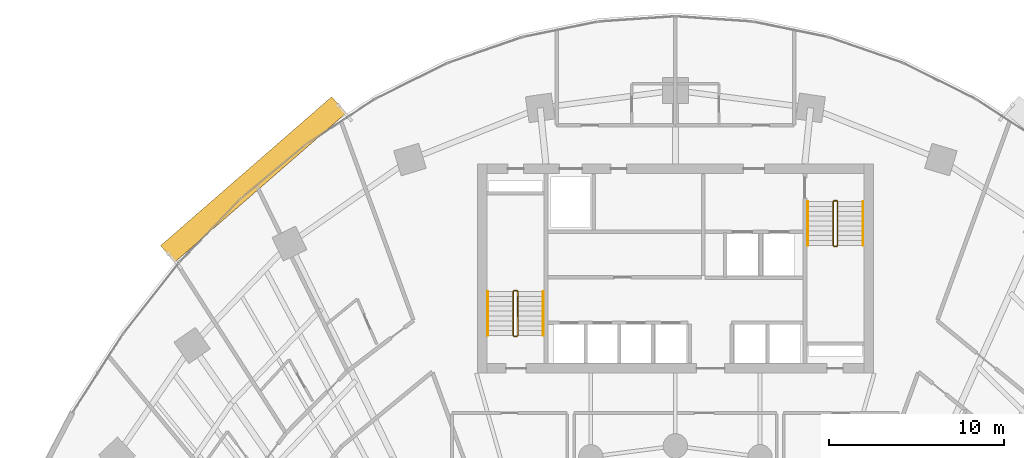
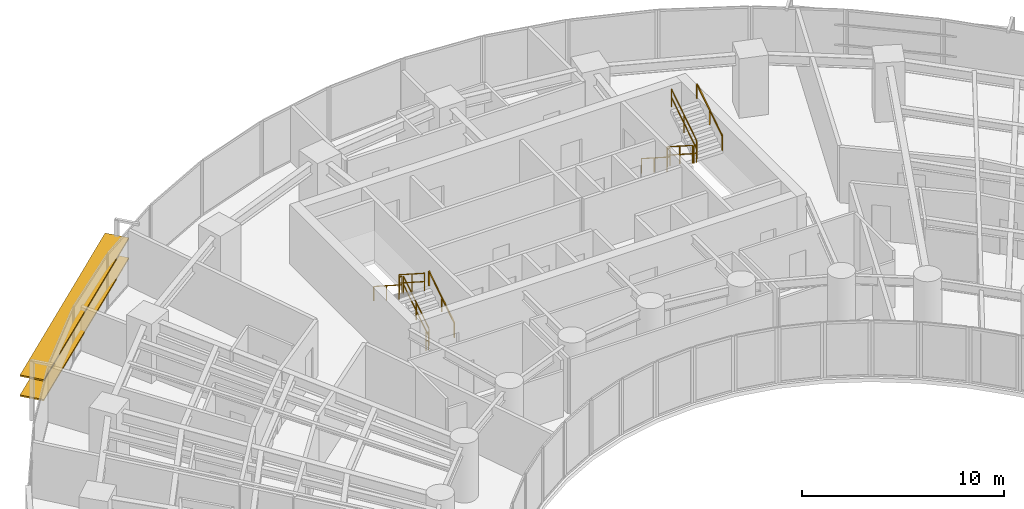
# One storey, part 16 of 17: 12 railings, 2 shading devices.
"""IFC4 building model written with IfcOpenShell, lengths in metres."""

from ifc_helpers import new_model, si_unit, direction, frame, origin, origin_2d, place, context, subcontext, project, spatial, rectangle, extrude, source, transform, mapped, material, material_profile, profile_set, type_object, type_shapes, element, save


model = new_model("IFC4")

# Units and contexts
model_context = context("Model", 3, precision=1e-05, world=origin(), true_north=direction((0.0, 1.0)))
body_context = subcontext(model_context, "Body", "Model", "MODEL_VIEW")
ifc_project = project(units=[si_unit("LENGTHUNIT", "METRE"), si_unit("AREAUNIT", "SQUARE_METRE"), si_unit("VOLUMEUNIT", "CUBIC_METRE"), si_unit("PLANEANGLEUNIT", "RADIAN"), si_unit("MASSUNIT", "GRAM", prefix="KILO")], contexts=[model_context])

# Site, building, storey
site_placement = place(None, origin())
site = spatial("IfcSite", under=ifc_project, at=site_placement, CompositionType="ELEMENT")
building_placement = place(site_placement, origin())
building = spatial("IfcBuilding", under=site, at=building_placement, Name="Breltana Convention Tower", CompositionType="ELEMENT")
storey_placement = place(building_placement, frame((0.0, 0.0, 67.800048828125)))
storey = spatial("IfcBuildingStorey", under=building, at=storey_placement, Name="L15", CompositionType="ELEMENT", Elevation=67.800048828125)

# Railings
ifc_material_1 = material(Name="Steel S275 Painted", Category="steel")
railing_type_1 = type_object("IfcRailingType", Name="RL-STAIR-GUARD-1100", PredefinedType="GUARDRAIL", material=ifc_material_1)
railing_1_placement = place(storey_placement, frame((38.9599609375, 62.360107421875, 0.179931640625)))
element("IfcRailing", 1, at=railing_1_placement, inside=storey, type_object=railing_type_1, Name="L15 ST-1 stair guard 1", PredefinedType="GUARDRAIL", context=body_context, shape_type="SweptSolid", body=[
    extrude(rectangle(XDim=0.048095703125, YDim=0.048095703125, at=origin_2d()), frame((0.0, 0.0, 1.076171875), z_axis=(0.0, 0.841138753965, 0.540819375188), x_axis=(-1.0, 0.0, 0.0)), (0.0, 0.0, 1.0), 2.99560546875),
    extrude(rectangle(XDim=0.048095703125, YDim=0.048095703125, at=origin_2d()), frame((0.0, 0.0, 0.572021484375), z_axis=(0.0, 0.841138753965, 0.540819375188), x_axis=(-1.0, 0.0, 0.0)), (0.0, 0.0, 1.0), 2.99560546875),
    extrude(rectangle(XDim=0.0419921875, YDim=0.0419921875, at=origin_2d()), origin(), (0.0, 0.0, 1.0), 1.052001953125),
    extrude(rectangle(XDim=0.0419921875, YDim=0.0419921875, at=origin_2d()), frame((0.0, 1.259765625, 0.81005859375)), (0.0, 0.0, 1.0), 1.052001953125),
    extrude(rectangle(XDim=0.0419921875, YDim=0.0419921875, at=origin_2d()), frame((0.0, 2.519775390625, 1.6201171875)), (0.0, 0.0, 1.0), 1.052001953125),
])
railing_2_placement = place(storey_placement, frame((38.909912109375, 64.929931640625, 1.800048828125)))
element("IfcRailing", 2, at=railing_2_placement, inside=storey, type_object=railing_type_1, Name="L15 ST-1 stair guard 2", PredefinedType="GUARDRAIL", context=body_context, shape_type="SweptSolid", body=[
    extrude(rectangle(XDim=0.048095703125, YDim=0.048095703125, at=origin_2d()), frame((0.0, 0.0, 1.076171875), z_axis=(-1.0, 0.0, 0.0), x_axis=(0.0, -1.0, 0.0)), (0.0, 0.0, 1.0), 0.14990234375),
    extrude(rectangle(XDim=0.048095703125, YDim=0.048095703125, at=origin_2d()), frame((0.0, 0.0, 0.572021484375), z_axis=(-1.0, 0.0, 0.0), x_axis=(0.0, -1.0, 0.0)), (0.0, 0.0, 1.0), 0.14990234375),
    extrude(rectangle(XDim=0.0419921875, YDim=0.0419921875, at=origin_2d()), origin(), (0.0, 0.0, 1.0), 1.052001953125),
    extrude(rectangle(XDim=0.0419921875, YDim=0.0419921875, at=origin_2d()), frame((-0.14990234375, 0.0, 0.0)), (0.0, 0.0, 1.0), 1.052001953125),
])
railing_3_placement = place(storey_placement, frame((38.7099609375, 64.8798828125, 1.97998046875)))
element("IfcRailing", 3, at=railing_3_placement, inside=storey, type_object=railing_type_1, Name="L15 ST-1 stair guard 3", PredefinedType="GUARDRAIL", context=body_context, shape_type="SweptSolid", body=[
    extrude(rectangle(XDim=0.048095703125, YDim=0.048095703125, at=origin_2d()), frame((0.0, 0.0, 1.076171875), z_axis=(0.0, -0.841175827307, 0.540761710511), x_axis=(1.0, 0.0, 0.0)), (0.0, 0.0, 1.0), 2.99560546875),
    extrude(rectangle(XDim=0.048095703125, YDim=0.048095703125, at=origin_2d()), frame((0.0, 0.0, 0.572021484375), z_axis=(0.0, -0.841175827307, 0.540761710511), x_axis=(1.0, 0.0, 0.0)), (0.0, 0.0, 1.0), 2.99560546875),
    extrude(rectangle(XDim=0.0419921875, YDim=0.0419921875, at=origin_2d()), origin(), (0.0, 0.0, 1.0), 1.052001953125),
    extrude(rectangle(XDim=0.0419921875, YDim=0.0419921875, at=origin_2d()), frame((0.0, -1.259765625, 0.81005859375)), (0.0, 0.0, 1.0), 1.052001953125),
    extrude(rectangle(XDim=0.0419921875, YDim=0.0419921875, at=origin_2d()), frame((0.0, -2.519775390625, 1.619873046875)), (0.0, 0.0, 1.0), 1.052001953125),
])
railing_4_placement = place(storey_placement, frame((38.909912109375, 62.31005859375, 0.0)))
element("IfcRailing", 4, at=railing_4_placement, inside=storey, type_object=railing_type_1, Name="L15 ST-1 stair guard 4", PredefinedType="GUARDRAIL", context=body_context, shape_type="SweptSolid", body=[
    extrude(rectangle(XDim=0.048095703125, YDim=0.048095703125, at=origin_2d()), frame((0.0, 0.0, 1.076171875), z_axis=(-1.0, 0.0, 0.0), x_axis=(0.0, -1.0, 0.0)), (0.0, 0.0, 1.0), 0.14990234375),
    extrude(rectangle(XDim=0.048095703125, YDim=0.048095703125, at=origin_2d()), frame((0.0, 0.0, 0.572021484375), z_axis=(-1.0, 0.0, 0.0), x_axis=(0.0, -1.0, 0.0)), (0.0, 0.0, 1.0), 0.14990234375),
    extrude(rectangle(XDim=0.0419921875, YDim=0.0419921875, at=origin_2d()), origin(), (0.0, 0.0, 1.0), 1.052001953125),
    extrude(rectangle(XDim=0.0419921875, YDim=0.0419921875, at=origin_2d()), frame((-0.14990234375, 0.0, 0.0)), (0.0, 0.0, 1.0), 1.052001953125),
])
railing_5_placement = place(storey_placement, frame((57.0400390625, 70.0400390625, 0.179931640625)))
element("IfcRailing", 5, at=railing_5_placement, inside=storey, type_object=railing_type_1, Name="L15 ST-2 stair guard 1", PredefinedType="GUARDRAIL", context=body_context, shape_type="SweptSolid", body=[
    extrude(rectangle(XDim=0.048095703125, YDim=0.048095703125, at=origin_2d()), frame((0.0, 0.0, 1.076171875), z_axis=(0.0, -0.841162588446, 0.540782303519), x_axis=(1.0, 0.0, 0.0)), (0.0, 0.0, 1.0), 2.995849609375),
    extrude(rectangle(XDim=0.048095703125, YDim=0.048095703125, at=origin_2d()), frame((0.0, 0.0, 0.572021484375), z_axis=(0.0, -0.841162588446, 0.540782303519), x_axis=(1.0, 0.0, 0.0)), (0.0, 0.0, 1.0), 2.995849609375),
    extrude(rectangle(XDim=0.0419921875, YDim=0.0419921875, at=origin_2d()), origin(), (0.0, 0.0, 1.0), 1.052001953125),
    extrude(rectangle(XDim=0.0419921875, YDim=0.0419921875, at=origin_2d()), frame((0.0, -1.260009765625, 0.81005859375)), (0.0, 0.0, 1.0), 1.052001953125),
    extrude(rectangle(XDim=0.0419921875, YDim=0.0419921875, at=origin_2d()), frame((0.0, -2.52001953125, 1.6201171875)), (0.0, 0.0, 1.0), 1.052001953125),
])
railing_6_placement = place(storey_placement, frame((57.090087890625, 67.469970703125, 1.800048828125)))
element("IfcRailing", 6, at=railing_6_placement, inside=storey, type_object=railing_type_1, Name="L15 ST-2 stair guard 2", PredefinedType="GUARDRAIL", context=body_context, shape_type="SweptSolid", body=[
    extrude(rectangle(XDim=0.048095703125, YDim=0.048095703125, at=origin_2d()), frame((0.0, 0.0, 1.076171875), z_axis=(1.0, 0.0, 0.0), x_axis=(0.0, 1.0, 0.0)), (0.0, 0.0, 1.0), 0.14990234375),
    extrude(rectangle(XDim=0.048095703125, YDim=0.048095703125, at=origin_2d()), frame((0.0, 0.0, 0.572021484375), z_axis=(1.0, 0.0, 0.0), x_axis=(0.0, 1.0, 0.0)), (0.0, 0.0, 1.0), 0.14990234375),
    extrude(rectangle(XDim=0.0419921875, YDim=0.0419921875, at=origin_2d()), origin(), (0.0, 0.0, 1.0), 1.052001953125),
    extrude(rectangle(XDim=0.0419921875, YDim=0.0419921875, at=origin_2d()), frame((0.14990234375, 0.0, 0.0)), (0.0, 0.0, 1.0), 1.052001953125),
])
railing_7_placement = place(storey_placement, frame((57.2900390625, 67.52001953125, 1.97998046875)))
element("IfcRailing", 7, at=railing_7_placement, inside=storey, type_object=railing_type_1, Name="L15 ST-2 stair guard 3", PredefinedType="GUARDRAIL", context=body_context, shape_type="SweptSolid", body=[
    extrude(rectangle(XDim=0.048095703125, YDim=0.048095703125, at=origin_2d()), frame((0.0, 0.0, 1.076171875), z_axis=(0.0, 0.841199657755, 0.540724639528), x_axis=(-1.0, 0.0, 0.0)), (0.0, 0.0, 1.0), 2.995849609375),
    extrude(rectangle(XDim=0.048095703125, YDim=0.048095703125, at=origin_2d()), frame((0.0, 0.0, 0.572021484375), z_axis=(0.0, 0.841199657755, 0.540724639528), x_axis=(-1.0, 0.0, 0.0)), (0.0, 0.0, 1.0), 2.995849609375),
    extrude(rectangle(XDim=0.0419921875, YDim=0.0419921875, at=origin_2d()), origin(), (0.0, 0.0, 1.0), 1.052001953125),
    extrude(rectangle(XDim=0.0419921875, YDim=0.0419921875, at=origin_2d()), frame((0.0, 1.260009765625, 0.81005859375)), (0.0, 0.0, 1.0), 1.052001953125),
    extrude(rectangle(XDim=0.0419921875, YDim=0.0419921875, at=origin_2d()), frame((0.0, 2.52001953125, 1.619873046875)), (0.0, 0.0, 1.0), 1.052001953125),
])
railing_8_placement = place(storey_placement, frame((57.090087890625, 70.090087890625, 0.0)))
element("IfcRailing", 8, at=railing_8_placement, inside=storey, type_object=railing_type_1, Name="L15 ST-2 stair guard 4", PredefinedType="GUARDRAIL", context=body_context, shape_type="SweptSolid", body=[
    extrude(rectangle(XDim=0.048095703125, YDim=0.048095703125, at=origin_2d()), frame((0.0, 0.0, 1.076171875), z_axis=(1.0, 0.0, 0.0), x_axis=(0.0, 1.0, 0.0)), (0.0, 0.0, 1.0), 0.14990234375),
    extrude(rectangle(XDim=0.048095703125, YDim=0.048095703125, at=origin_2d()), frame((0.0, 0.0, 0.572021484375), z_axis=(1.0, 0.0, 0.0), x_axis=(0.0, 1.0, 0.0)), (0.0, 0.0, 1.0), 0.14990234375),
    extrude(rectangle(XDim=0.0419921875, YDim=0.0419921875, at=origin_2d()), origin(), (0.0, 0.0, 1.0), 1.052001953125),
    extrude(rectangle(XDim=0.0419921875, YDim=0.0419921875, at=origin_2d()), frame((0.14990234375, 0.0, 0.0)), (0.0, 0.0, 1.0), 1.052001953125),
])
ifc_material_2 = material(Name="Stainless Steel 316L", Category="steel")
railing_type_2 = type_object("IfcRailingType", Name="RL-STAIR-HANDRAIL-900", PredefinedType="HANDRAIL", material=ifc_material_2)
railing_9_placement = place(storey_placement, frame((40.419921875, 62.360107421875, 0.179931640625)))
element("IfcRailing", 9, at=railing_9_placement, inside=storey, type_object=railing_type_2, Name="L15 ST-1 stair handrail 1", PredefinedType="HANDRAIL", context=body_context, shape_type="SweptSolid", body=[
    extrude(rectangle(XDim=0.048095703125, YDim=0.048095703125, at=origin_2d()), frame((0.0, 0.0, 0.8759765625), z_axis=(0.0, 0.841138753965, 0.540819375188), x_axis=(-1.0, 0.0, 0.0)), (0.0, 0.0, 1.0), 2.99560546875),
    extrude(rectangle(XDim=0.0419921875, YDim=0.0419921875, at=origin_2d()), origin(), (0.0, 0.0, 1.0), 0.851806640625),
    extrude(rectangle(XDim=0.0419921875, YDim=0.0419921875, at=origin_2d()), frame((0.0, 1.259765625, 0.81005859375)), (0.0, 0.0, 1.0), 0.851806640625),
    extrude(rectangle(XDim=0.0419921875, YDim=0.0419921875, at=origin_2d()), frame((0.0, 2.519775390625, 1.6201171875)), (0.0, 0.0, 1.0), 0.851806640625),
])
railing_10_placement = place(storey_placement, frame((37.25, 64.8798828125, 1.97998046875)))
element("IfcRailing", 10, at=railing_10_placement, inside=storey, type_object=railing_type_2, Name="L15 ST-1 stair handrail 2", PredefinedType="HANDRAIL", context=body_context, shape_type="SweptSolid", body=[
    extrude(rectangle(XDim=0.048095703125, YDim=0.048095703125, at=origin_2d()), frame((0.0, 0.0, 0.8759765625), z_axis=(0.0, -0.841175827307, 0.540761710511), x_axis=(1.0, 0.0, 0.0)), (0.0, 0.0, 1.0), 2.99560546875),
    extrude(rectangle(XDim=0.0419921875, YDim=0.0419921875, at=origin_2d()), origin(), (0.0, 0.0, 1.0), 0.851806640625),
    extrude(rectangle(XDim=0.0419921875, YDim=0.0419921875, at=origin_2d()), frame((0.0, -1.259765625, 0.81005859375)), (0.0, 0.0, 1.0), 0.851806640625),
    extrude(rectangle(XDim=0.0419921875, YDim=0.0419921875, at=origin_2d()), frame((0.0, -2.519775390625, 1.619873046875)), (0.0, 0.0, 1.0), 0.851806640625),
])
railing_11_placement = place(storey_placement, frame((55.580078125, 70.0400390625, 0.179931640625)))
element("IfcRailing", 11, at=railing_11_placement, inside=storey, type_object=railing_type_2, Name="L15 ST-2 stair handrail 1", PredefinedType="HANDRAIL", context=body_context, shape_type="SweptSolid", body=[
    extrude(rectangle(XDim=0.048095703125, YDim=0.048095703125, at=origin_2d()), frame((0.0, 0.0, 0.8759765625), z_axis=(0.0, -0.841162588446, 0.540782303519), x_axis=(1.0, 0.0, 0.0)), (0.0, 0.0, 1.0), 2.995849609375),
    extrude(rectangle(XDim=0.0419921875, YDim=0.0419921875, at=origin_2d()), origin(), (0.0, 0.0, 1.0), 0.851806640625),
    extrude(rectangle(XDim=0.0419921875, YDim=0.0419921875, at=origin_2d()), frame((0.0, -1.260009765625, 0.81005859375)), (0.0, 0.0, 1.0), 0.851806640625),
    extrude(rectangle(XDim=0.0419921875, YDim=0.0419921875, at=origin_2d()), frame((0.0, -2.52001953125, 1.6201171875)), (0.0, 0.0, 1.0), 0.851806640625),
])
railing_12_placement = place(storey_placement, frame((58.75, 67.52001953125, 1.97998046875)))
element("IfcRailing", 12, at=railing_12_placement, inside=storey, type_object=railing_type_2, Name="L15 ST-2 stair handrail 2", PredefinedType="HANDRAIL", context=body_context, shape_type="SweptSolid", body=[
    extrude(rectangle(XDim=0.048095703125, YDim=0.048095703125, at=origin_2d()), frame((0.0, 0.0, 0.8759765625), z_axis=(0.0, 0.841199657755, 0.540724639528), x_axis=(-1.0, 0.0, 0.0)), (0.0, 0.0, 1.0), 2.995849609375),
    extrude(rectangle(XDim=0.0419921875, YDim=0.0419921875, at=origin_2d()), origin(), (0.0, 0.0, 1.0), 0.851806640625),
    extrude(rectangle(XDim=0.0419921875, YDim=0.0419921875, at=origin_2d()), frame((0.0, 1.260009765625, 0.81005859375)), (0.0, 0.0, 1.0), 0.851806640625),
    extrude(rectangle(XDim=0.0419921875, YDim=0.0419921875, at=origin_2d()), frame((0.0, 2.52001953125, 1.619873046875)), (0.0, 0.0, 1.0), 0.851806640625),
])

# Shading devices
ifc_material_3 = material(Name="Limestone Warm Buff Honed", Category="masonry")
ifc_material_profile = material_profile(ifc_material_3, rectangle(XDim=1.25, YDim=0.090087890625, at=origin_2d()), Name="STN-LVR-1250X90")
ifc_profile_set = profile_set([ifc_material_profile], Name="Limestone Warm Buff Honed")
shading_device_type = type_object("IfcShadingDeviceType", Name="SHD-OUTER-SKIN-LIMESTONE-1250", PredefinedType="JALOUSIE", material=ifc_profile_set)
shared_shape = source(origin(), body_context, "Body", "SweptSolid", [
    extrude(rectangle(XDim=1.25, YDim=0.090087890625, at=origin_2d()), origin(), (0.0, 0.0, 1.0), 12.99462890625),
])
type_shapes(shading_device_type, [shared_shape])
for number, where, z_axis, x_axis, name in (
    (13, (18.9130859375, 67.039794921875, 1.20947265625), (0.754353477941, 0.656468453407, 0.0), (-0.656468453407, 0.754353477941, 0.0), "L15 outer skin warm limestone louvre 1.1"),
    (14, (18.9130859375, 67.039794921875, 2.419189453125), (0.754353477941, 0.656468453407, 0.0), (-0.656468453407, 0.754353477941, 0.0), "L15 outer skin warm limestone louvre 1.2"),
):
    element("IfcShadingDevice", number, at=place(storey_placement, frame(where, z_axis=z_axis, x_axis=x_axis)), inside=storey, type_object=shading_device_type, Name=name, PredefinedType="JALOUSIE", context=body_context, shape_type="MappedRepresentation", body=[
        mapped(shared_shape, transform((0.0, 0.0, 0.0), scale=1.0)),
    ])

save(model, "model.ifc")
